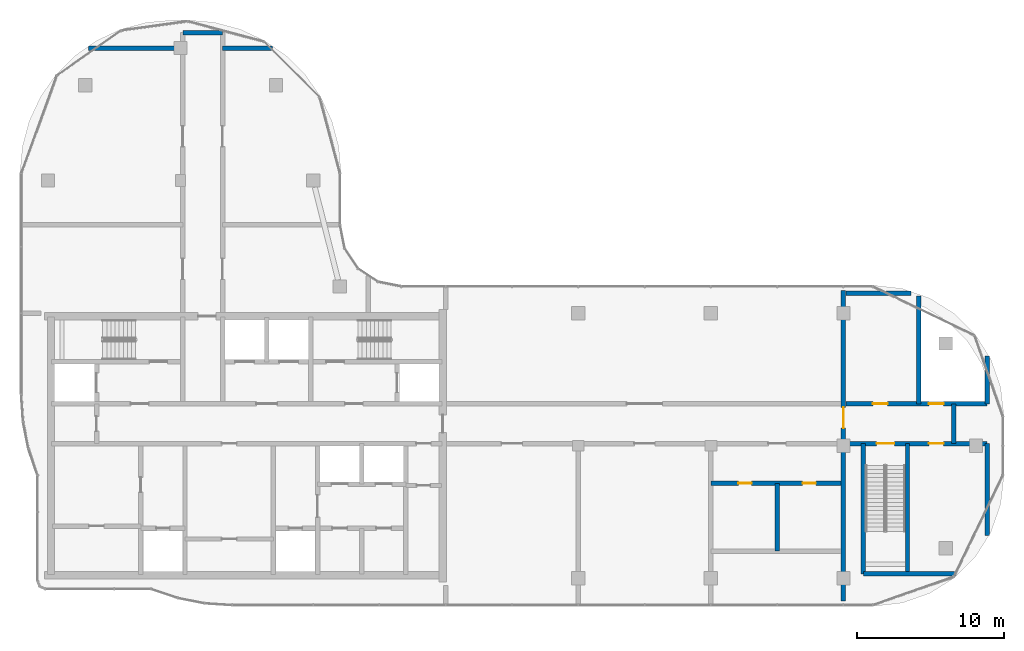
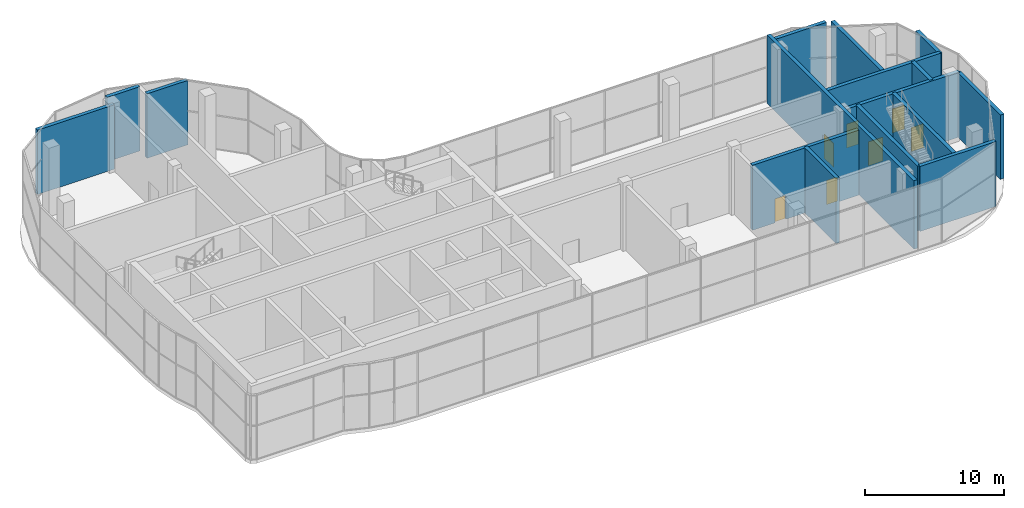
# One storey, part 16 of 19: 16 walls, 7 doors, 7 openings.
"""IFC4 building model written with IfcOpenShell, lengths in metres."""

from ifc_helpers import new_model, si_unit, direction, frame, frame_2d, origin, place, context, subcontext, project, spatial, rectangle, extrude, material, layer, layer_set, type_object, element, fill, save


model = new_model("IFC4")

# Units and contexts
model_context = context("Model", 3, precision=1e-05, world=origin(), true_north=direction((0.0, 1.0)))
body_context = subcontext(model_context, "Body", "Model", "MODEL_VIEW")
ifc_project = project(units=[si_unit("LENGTHUNIT", "METRE"), si_unit("AREAUNIT", "SQUARE_METRE"), si_unit("VOLUMEUNIT", "CUBIC_METRE"), si_unit("PLANEANGLEUNIT", "RADIAN"), si_unit("MASSUNIT", "GRAM", prefix="KILO")], contexts=[model_context])

# Site, building, storey
site_placement = place(None, origin())
site = spatial("IfcSite", under=ifc_project, at=site_placement, CompositionType="ELEMENT")
building_placement = place(site_placement, origin())
building = spatial("IfcBuilding", under=site, at=building_placement, Name="Ogive Portal Towers", CompositionType="ELEMENT")
storey_placement = place(building_placement, frame((0.0, 0.0, 254.89990234375)))
storey = spatial("IfcBuildingStorey", under=building, at=storey_placement, Name="L63", CompositionType="ELEMENT", Elevation=254.89990234375)

# Wall, opening, door
ifc_material_1 = material(Name="Concrete C60/75", Category="concrete")
ifc_layer_1 = layer(ifc_material_1, 0.300048828125)
ifc_layer_set_1 = layer_set([ifc_layer_1], Name="REVEAL WALL 300 C60")
wall_type_1 = type_object("IfcWallType", Name="REVEAL WALL 300 C60", PredefinedType="SHEAR", material=ifc_layer_set_1)
wall_1_placement = place(storey_placement, frame((85.5, 19.949951171875, 0.0), z_axis=(0.0, 0.0, 1.0), x_axis=(0.0, 1.0, 0.0)))
wall_1 = element("IfcWall", 1, at=wall_1_placement, inside=storey, type_object=wall_type_1, Name="Portal reveal wall L63", PredefinedType="SHEAR", context=body_context, shape_type="SweptSolid", body=[
    extrude(rectangle(XDim=21.10009765625, YDim=0.300048828125, at=frame_2d((10.550048828125, 0.0))), origin(), (0.0, 0.0, 1.0), 6.0),
])
opening_1_placement = place(wall_1_placement, frame((11.75, 0.0, 0.0)))
opening_1 = element("IfcOpeningElement", 2, at=opening_1_placement, cuts=wall_1, Name="Opening D29-040", PredefinedType="OPENING", context=body_context, shape_type="SweptSolid", body=[
    extrude(rectangle(XDim=1.39990234375, YDim=2.10009765625, at=frame_2d((0.699951171875, 1.050048828125))), frame((0.0, 0.16015625, 0.0), z_axis=(0.0, -1.0, 0.0), x_axis=(1.0, 0.0, 0.0)), (0.0, 0.0, 1.0), 0.320068359375),
])
ifc_material_2 = material(Name="Steel fire door", Category="steel")
door_type_1 = type_object("IfcDoorType", Name="DT-STAIR-1400x2100-FD90S", OperationType="SINGLE_SWING_LEFT", PredefinedType="DOOR", material=ifc_material_2)
door_1_placement = place(opening_1_placement, origin())
door_1 = element("IfcDoor", 3, at=door_1_placement, inside=storey, type_object=door_type_1, Name="Door D29-040", OperationType="SINGLE_SWING_RIGHT", OverallHeight=2.10009765625, OverallWidth=1.39990234375, PredefinedType="DOOR", context=body_context, shape_type="SweptSolid", body=[
    extrude(rectangle(XDim=1.39990234375, YDim=2.10009765625, at=frame_2d((0.699951171875, 1.050048828125))), frame((0.0, 0.02490234375, 0.0), z_axis=(0.0, -1.0, 0.0), x_axis=(1.0, 0.0, 0.0)), (0.0, 0.0, 1.0), 0.050048828125),
])
fill(opening_1, door_1)

# Wall
ifc_material_3 = material(Name="Concrete C50/60", Category="concrete")
ifc_layer_2 = layer(ifc_material_3, 0.300048828125)
ifc_layer_set_2 = layer_set([ifc_layer_2], Name="STAIR WALL 300 C50")
wall_type_2 = type_object("IfcWallType", Name="STAIR WALL 300 C50", PredefinedType="SHEAR", material=ifc_layer_set_2)
wall_2_placement = place(storey_placement, frame((86.85009765625, 21.800048828125, 0.0), z_axis=(0.0, 0.0, 1.0), x_axis=(1.0, 0.0, 0.0)))
element("IfcWall", 4, at=wall_2_placement, inside=storey, type_object=wall_type_2, Name="Stair wall ST-A4 L63", PredefinedType="SHEAR", context=body_context, shape_type="SweptSolid", body=[
    extrude(rectangle(XDim=6.305908203125, YDim=0.300048828125, at=frame_2d((3.15283203125, 0.0))), origin(), (0.0, 0.0, 1.0), 5.7001953125),
])

# Wall, openings, doors
wall_3_placement = place(storey_placement, frame((85.669921875, 30.64990234375, 0.0), z_axis=(0.0, 0.0, 1.0), x_axis=(1.0, 0.0, 0.0)))
wall_3 = element("IfcWall", 5, at=wall_3_placement, inside=storey, type_object=wall_type_2, Name="Stair wall ST-A4 L63", PredefinedType="SHEAR", context=body_context, shape_type="SweptSolid", body=[
    extrude(rectangle(XDim=9.580078125, YDim=0.300048828125, at=frame_2d((4.7900390625, 0.0))), origin(), (0.0, 0.0, 1.0), 5.7001953125),
])
opening_2_placement = place(wall_3_placement, frame((2.080078125, 0.0, 0.0)))
opening_2 = element("IfcOpeningElement", 6, at=opening_2_placement, cuts=wall_3, Name="Opening D29-036", PredefinedType="OPENING", context=body_context, shape_type="SweptSolid", body=[
    extrude(rectangle(XDim=1.199951171875, YDim=2.10009765625, at=frame_2d((0.60009765625, 1.050048828125))), frame((0.0, 0.16015625, 0.0), z_axis=(0.0, -1.0, 0.0), x_axis=(1.0, 0.0, 0.0)), (0.0, 0.0, 1.0), 0.320068359375),
])
opening_3_placement = place(wall_3_placement, frame((5.6298828125, 0.0, 0.0)))
opening_3 = element("IfcOpeningElement", 7, at=opening_3_placement, cuts=wall_3, Name="Opening D29-039", PredefinedType="OPENING", context=body_context, shape_type="SweptSolid", body=[
    extrude(rectangle(XDim=1.0, YDim=2.10009765625, at=frame_2d((0.5, 1.050048828125))), frame((0.0, 0.16015625, 0.0), z_axis=(0.0, -1.0, 0.0), x_axis=(1.0, 0.0, 0.0)), (0.0, 0.0, 1.0), 0.320068359375),
])
door_type_2 = type_object("IfcDoorType", Name="DT-SERVICE-1000x2100-FD90S", OperationType="SINGLE_SWING_LEFT", PredefinedType="DOOR", material=ifc_material_2)
door_2_placement = place(opening_3_placement, origin())
door_2 = element("IfcDoor", 8, at=door_2_placement, inside=storey, type_object=door_type_2, Name="Door D29-039", OperationType="SINGLE_SWING_LEFT", OverallHeight=2.10009765625, OverallWidth=1.0, PredefinedType="DOOR", context=body_context, shape_type="SweptSolid", body=[
    extrude(rectangle(XDim=1.0, YDim=2.10009765625, at=frame_2d((0.5, 1.050048828125))), frame((0.0, 0.02490234375, 0.0), z_axis=(0.0, -1.0, 0.0), x_axis=(1.0, 0.0, 0.0)), (0.0, 0.0, 1.0), 0.050048828125),
])
fill(opening_3, door_2)
door_type_3 = type_object("IfcDoorType", Name="DT-STAIR-1200x2100-FD90S", OperationType="SINGLE_SWING_LEFT", PredefinedType="DOOR", material=ifc_material_2)
door_3_placement = place(opening_2_placement, origin())
door_3 = element("IfcDoor", 9, at=door_3_placement, inside=storey, type_object=door_type_3, Name="Door D29-036", OperationType="SINGLE_SWING_LEFT", OverallHeight=2.10009765625, OverallWidth=1.199951171875, PredefinedType="DOOR", context=body_context, shape_type="SweptSolid", body=[
    extrude(rectangle(XDim=1.199951171875, YDim=2.10009765625, at=frame_2d((0.60009765625, 1.050048828125))), frame((0.0, 0.02490234375, 0.0), z_axis=(0.0, -1.0, 0.0), x_axis=(1.0, 0.0, 0.0)), (0.0, 0.0, 1.0), 0.050048828125),
])
fill(opening_2, door_3)

# Walls
for number, where, z_axis, x_axis, name in (
    (10, (86.85009765625, 21.800048828125, 0.0), (0.0, 0.0, 1.0), (0.0, 1.0, 0.0), "Stair wall ST-A4 L63"),
    (11, (89.85009765625, 21.800048828125, 0.0), (0.0, 0.0, 1.0), (0.0, 1.0, 0.0), "Stair wall ST-A4 L63"),
):
    element("IfcWall", number, at=place(storey_placement, frame(where, z_axis=z_axis, x_axis=x_axis)), inside=storey, type_object=wall_type_2, Name=name, PredefinedType="SHEAR", context=body_context, shape_type="SweptSolid", body=[
        extrude(rectangle(XDim=8.849853515625, YDim=0.300048828125, at=frame_2d((4.4248046875, 0.0))), origin(), (0.0, 0.0, 1.0), 5.7001953125),
    ])

# Wall, openings, doors
ifc_material_4 = material(Name="Gypsum board partition on steel studs", Category="steel")
ifc_layer_3 = layer(ifc_material_4, 0.300048828125)
ifc_layer_set_3 = layer_set([ifc_layer_3], Name="WT-PART-300-EI 120")
wall_type_3 = type_object("IfcWallType", Name="WT-PART-300-EI 120", PredefinedType="PARTITIONING", material=ifc_layer_set_3)
wall_4_placement = place(storey_placement, frame((85.669921875, 33.35009765625, 0.0), z_axis=(0.0, 0.0, 1.0), x_axis=(1.0, 0.0, 0.0)))
wall_4 = element("IfcWall", 12, at=wall_4_placement, inside=storey, type_object=wall_type_3, Name="Wall L63:w007", PredefinedType="PARTITIONING", context=body_context, shape_type="SweptSolid", body=[
    extrude(rectangle(XDim=9.580078125, YDim=0.300048828125, at=frame_2d((4.7900390625, 0.0))), origin(), (0.0, 0.0, 1.0), 5.7001953125),
])
opening_4_placement = place(wall_4_placement, frame((1.830078125, 0.0, 0.0)))
opening_4 = element("IfcOpeningElement", 13, at=opening_4_placement, cuts=wall_4, Name="Opening D29-037", PredefinedType="OPENING", context=body_context, shape_type="SweptSolid", body=[
    extrude(rectangle(XDim=1.0, YDim=2.10009765625, at=frame_2d((0.5, 1.050048828125))), frame((0.0, 0.16015625, 0.0), z_axis=(0.0, -1.0, 0.0), x_axis=(1.0, 0.0, 0.0)), (0.0, 0.0, 1.0), 0.320068359375),
])
opening_5_placement = place(wall_4_placement, frame((5.6298828125, 0.0, 0.0)))
opening_5 = element("IfcOpeningElement", 14, at=opening_5_placement, cuts=wall_4, Name="Opening D29-038", PredefinedType="OPENING", context=body_context, shape_type="SweptSolid", body=[
    extrude(rectangle(XDim=1.0, YDim=2.10009765625, at=frame_2d((0.5, 1.050048828125))), frame((0.0, 0.16015625, 0.0), z_axis=(0.0, -1.0, 0.0), x_axis=(1.0, 0.0, 0.0)), (0.0, 0.0, 1.0), 0.320068359375),
])
door_4_placement = place(opening_4_placement, origin())
door_4 = element("IfcDoor", 15, at=door_4_placement, inside=storey, type_object=door_type_2, Name="Door D29-037", OperationType="SINGLE_SWING_LEFT", OverallHeight=2.10009765625, OverallWidth=1.0, PredefinedType="DOOR", context=body_context, shape_type="SweptSolid", body=[
    extrude(rectangle(XDim=1.0, YDim=2.10009765625, at=frame_2d((0.5, 1.050048828125))), frame((0.0, 0.02490234375, 0.0), z_axis=(0.0, -1.0, 0.0), x_axis=(1.0, 0.0, 0.0)), (0.0, 0.0, 1.0), 0.050048828125),
])
fill(opening_4, door_4)
door_5_placement = place(opening_5_placement, origin())
door_5 = element("IfcDoor", 16, at=door_5_placement, inside=storey, type_object=door_type_2, Name="Riser access door D29-038", OperationType="SINGLE_SWING_RIGHT", OverallHeight=2.10009765625, OverallWidth=1.0, PredefinedType="DOOR", context=body_context, shape_type="SweptSolid", body=[
    extrude(rectangle(XDim=1.0, YDim=2.10009765625, at=frame_2d((0.5, 1.050048828125))), frame((0.0, 0.02490234375, 0.0), z_axis=(0.0, -1.0, 0.0), x_axis=(1.0, 0.0, 0.0)), (0.0, 0.0, 1.0), 0.050048828125),
])
fill(opening_5, door_5)

# Wall
wall_5_placement = place(storey_placement, frame((93.0, 30.64990234375, 0.0), z_axis=(0.0, 0.0, 1.0), x_axis=(0.0, 1.0, 0.0)))
element("IfcWall", 17, at=wall_5_placement, inside=storey, type_object=wall_type_3, Name="Wall L63:w026", PredefinedType="PARTITIONING", context=body_context, shape_type="SweptSolid", body=[
    extrude(rectangle(XDim=2.7001953125, YDim=0.300048828125, at=frame_2d((1.35009765625, 0.0))), origin(), (0.0, 0.0, 1.0), 5.7001953125),
])

# Wall, openings, doors
ifc_layer_4 = layer(ifc_material_4, 0.300048828125)
ifc_layer_set_4 = layer_set([ifc_layer_4], Name="WT-PART-300-EI 60")
wall_type_4 = type_object("IfcWallType", Name="WT-PART-300-EI 60", PredefinedType="PARTITIONING", material=ifc_layer_set_4)
wall_6_placement = place(storey_placement, frame((76.5, 27.949951171875, 0.0), z_axis=(0.0, 0.0, 1.0), x_axis=(1.0, 0.0, 0.0)))
wall_6 = element("IfcWall", 18, at=wall_6_placement, inside=storey, type_object=wall_type_4, Name="Wall L63:w003", PredefinedType="PARTITIONING", context=body_context, shape_type="SweptSolid", body=[
    extrude(rectangle(XDim=8.830078125, YDim=0.300048828125, at=frame_2d((4.4150390625, 0.0))), origin(), (0.0, 0.0, 1.0), 5.7001953125),
])
opening_6_placement = place(wall_6_placement, frame((1.875, 0.0, 0.0)))
opening_6 = element("IfcOpeningElement", 19, at=opening_6_placement, cuts=wall_6, Name="Opening D29-030", PredefinedType="OPENING", context=body_context, shape_type="SweptSolid", body=[
    extrude(rectangle(XDim=0.89990234375, YDim=2.10009765625, at=frame_2d((0.449951171875, 1.050048828125))), frame((0.0, 0.16015625, 0.0), z_axis=(0.0, -1.0, 0.0), x_axis=(1.0, 0.0, 0.0)), (0.0, 0.0, 1.0), 0.320068359375),
])
opening_7_placement = place(wall_6_placement, frame((6.22509765625, 0.0, 0.0)))
opening_7 = element("IfcOpeningElement", 20, at=opening_7_placement, cuts=wall_6, Name="Opening D29-031", PredefinedType="OPENING", context=body_context, shape_type="SweptSolid", body=[
    extrude(rectangle(XDim=0.89990234375, YDim=2.10009765625, at=frame_2d((0.449951171875, 1.050048828125))), frame((0.0, 0.16015625, 0.0), z_axis=(0.0, -1.0, 0.0), x_axis=(1.0, 0.0, 0.0)), (0.0, 0.0, 1.0), 0.320068359375),
])
door_type_4 = type_object("IfcDoorType", Name="DT-BATH-900x2100-FD60S", OperationType="SINGLE_SWING_LEFT", PredefinedType="DOOR", material=ifc_material_2)
door_6_placement = place(opening_6_placement, origin())
door_6 = element("IfcDoor", 21, at=door_6_placement, inside=storey, type_object=door_type_4, Name="Door D29-030", OperationType="SINGLE_SWING_LEFT", OverallHeight=2.10009765625, OverallWidth=0.89990234375, PredefinedType="DOOR", context=body_context, shape_type="SweptSolid", body=[
    extrude(rectangle(XDim=0.89990234375, YDim=2.10009765625, at=frame_2d((0.449951171875, 1.050048828125))), frame((0.0, 0.02490234375, 0.0), z_axis=(0.0, -1.0, 0.0), x_axis=(1.0, 0.0, 0.0)), (0.0, 0.0, 1.0), 0.050048828125),
])
fill(opening_6, door_6)
door_7_placement = place(opening_7_placement, origin())
door_7 = element("IfcDoor", 22, at=door_7_placement, inside=storey, type_object=door_type_4, Name="Door D29-031", OperationType="SINGLE_SWING_RIGHT", OverallHeight=2.10009765625, OverallWidth=0.89990234375, PredefinedType="DOOR", context=body_context, shape_type="SweptSolid", body=[
    extrude(rectangle(XDim=0.89990234375, YDim=2.10009765625, at=frame_2d((0.449951171875, 1.050048828125))), frame((0.0, 0.02490234375, 0.0), z_axis=(0.0, -1.0, 0.0), x_axis=(1.0, 0.0, 0.0)), (0.0, 0.0, 1.0), 0.050048828125),
])
fill(opening_7, door_7)

# Walls
wall_7_placement = place(storey_placement, frame((85.669921875, 40.85009765625, 0.0), z_axis=(0.0, 0.0, 1.0), x_axis=(1.0, 0.0, 0.0)))
element("IfcWall", 23, at=wall_7_placement, inside=storey, type_object=wall_type_4, Name="Wall L63:w009", PredefinedType="PARTITIONING", context=body_context, shape_type="SweptSolid", body=[
    extrude(rectangle(XDim=4.43212890625, YDim=0.300048828125, at=frame_2d((2.216064453125, 0.0))), origin(), (0.0, 0.0, 1.0), 5.650146484375),
])
wall_8_placement = place(storey_placement, frame((34.260986328125, 57.5, 0.0), z_axis=(0.0, 0.0, 1.0), x_axis=(1.0, 0.0, 0.0)))
element("IfcWall", 24, at=wall_8_placement, inside=storey, type_object=wall_type_4, Name="Wall L63:w012", PredefinedType="PARTITIONING", context=body_context, shape_type="SweptSolid", body=[
    extrude(rectangle(XDim=6.388916015625, YDim=0.300048828125, at=frame_2d((3.1943359375, 0.0))), origin(), (0.0, 0.0, 1.0), 5.650146484375),
])
wall_9_placement = place(storey_placement, frame((43.35009765625, 57.5, 0.0), z_axis=(0.0, 0.0, 1.0), x_axis=(1.0, 0.0, 0.0)))
element("IfcWall", 25, at=wall_9_placement, inside=storey, type_object=wall_type_4, Name="Wall L63:w013", PredefinedType="PARTITIONING", context=body_context, shape_type="SweptSolid", body=[
    extrude(rectangle(XDim=3.388916015625, YDim=0.300048828125, at=frame_2d((1.6943359375, 0.0))), origin(), (0.0, 0.0, 1.0), 5.650146484375),
])
wall_10_placement = place(storey_placement, frame((40.64990234375, 58.550048828125, 0.0), z_axis=(0.0, 0.0, 1.0), x_axis=(1.0, 0.0, 0.0)))
element("IfcWall", 26, at=wall_10_placement, inside=storey, type_object=wall_type_4, Name="Wall L63:w014", PredefinedType="PARTITIONING", context=body_context, shape_type="SweptSolid", body=[
    extrude(rectangle(XDim=2.7001953125, YDim=0.300048828125, at=frame_2d((1.35009765625, 0.0))), origin(), (0.0, 0.0, 1.0), 5.650146484375),
])
wall_11_placement = place(storey_placement, frame((81.0, 23.35009765625, 0.0), z_axis=(0.0, 0.0, 1.0), x_axis=(0.0, 1.0, 0.0)))
element("IfcWall", 27, at=wall_11_placement, inside=storey, type_object=wall_type_4, Name="Wall L63:w022", PredefinedType="PARTITIONING", context=body_context, shape_type="SweptSolid", body=[
    extrude(rectangle(XDim=4.599853515625, YDim=0.300048828125, at=frame_2d((2.2998046875, 0.0))), origin(), (0.0, 0.0, 1.0), 5.7001953125),
])
wall_12_placement = place(storey_placement, frame((90.60009765625, 33.35009765625, 0.0), z_axis=(0.0, 0.0, 1.0), x_axis=(0.0, 1.0, 0.0)))
element("IfcWall", 28, at=wall_12_placement, inside=storey, type_object=wall_type_4, Name="Wall L63:w025", PredefinedType="PARTITIONING", context=body_context, shape_type="SweptSolid", body=[
    extrude(rectangle(XDim=7.31884765625, YDim=0.300048828125, at=frame_2d((3.659423828125, 0.0))), origin(), (0.0, 0.0, 1.0), 5.650146484375),
])
wall_13_placement = place(storey_placement, frame((95.25, 24.408935546875, 0.0), z_axis=(0.0, 0.0, 1.0), x_axis=(0.0, 1.0, 0.0)))
element("IfcWall", 29, at=wall_13_placement, inside=storey, type_object=wall_type_4, Name="Wall L63:w027", PredefinedType="PARTITIONING", context=body_context, shape_type="SweptSolid", body=[
    extrude(rectangle(XDim=6.240966796875, YDim=0.300048828125, at=frame_2d((3.12060546875, 0.0))), origin(), (0.0, 0.0, 1.0), 5.650146484375),
])
wall_14_placement = place(storey_placement, frame((95.25, 33.35009765625, 0.0), z_axis=(0.0, 0.0, 1.0), x_axis=(0.0, 1.0, 0.0)))
element("IfcWall", 30, at=wall_14_placement, inside=storey, type_object=wall_type_4, Name="Wall L63:w028", PredefinedType="PARTITIONING", context=body_context, shape_type="SweptSolid", body=[
    extrude(rectangle(XDim=3.240966796875, YDim=0.300048828125, at=frame_2d((1.62060546875, 0.0))), origin(), (0.0, 0.0, 1.0), 5.650146484375),
])

save(model, "model.ifc")
